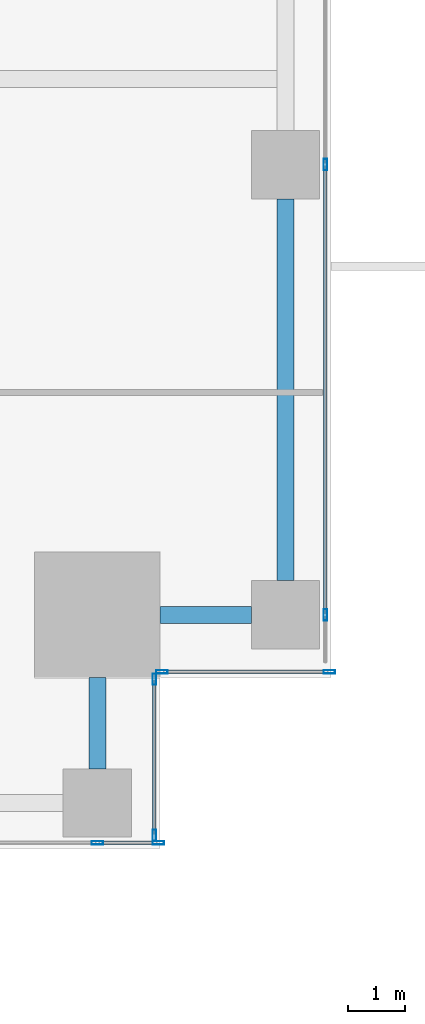
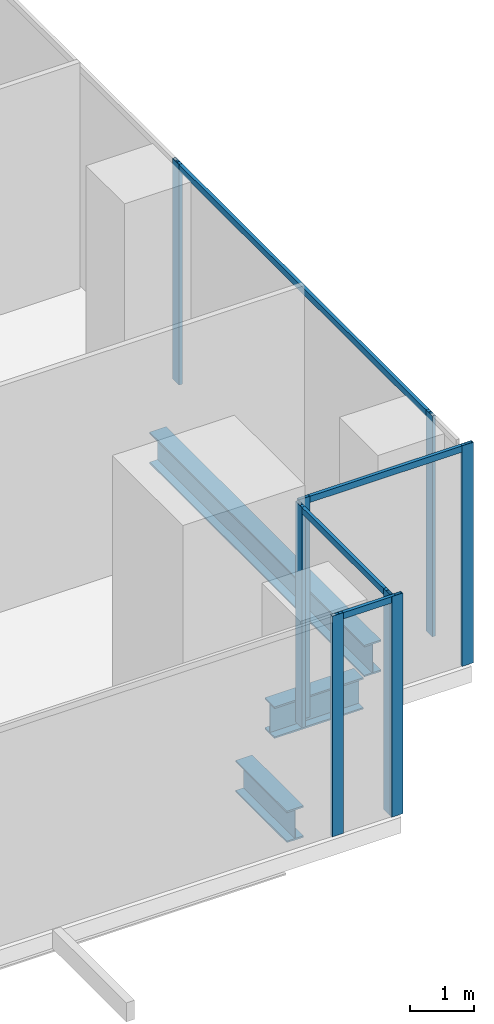
# One storey, part 9 of 32: 12 members, 3 beams, 4 elements without a shape of their own.
"""IFC4 building model written with IfcOpenShell, lengths in metres."""

from ifc_helpers import new_model, si_unit, direction, frame, origin, origin_2d, place, context, subcontext, project, spatial, hollow_rectangle, i_section, extrude, source, transform, mapped, material, material_profile, profile_set, type_object, element, aggregate, save


model = new_model("IFC4")

# Units and contexts
model_context = context("Model", 3, precision=1e-05, world=origin(), true_north=direction((0.0, 1.0)))
body_context = subcontext(model_context, "Body", "Model", "MODEL_VIEW")
ifc_project = project(units=[si_unit("LENGTHUNIT", "METRE"), si_unit("AREAUNIT", "SQUARE_METRE"), si_unit("VOLUMEUNIT", "CUBIC_METRE"), si_unit("PLANEANGLEUNIT", "RADIAN"), si_unit("MASSUNIT", "GRAM", prefix="KILO")], contexts=[model_context])

# Site, building, storey
site_placement = place(None, origin())
site = spatial("IfcSite", under=ifc_project, at=site_placement, CompositionType="ELEMENT")
building_placement = place(site_placement, origin())
building = spatial("IfcBuilding", under=site, at=building_placement, Name="Khomas Fold Tower", CompositionType="ELEMENT")
storey_placement = place(building_placement, frame((0.0, 0.0, 64.5)))
storey = spatial("IfcBuildingStorey", under=building, at=storey_placement, Name="L13", CompositionType="ELEMENT", Elevation=64.5)

# Beams
ifc_material_1 = material(Name="Steel S355", Category="steel")
ifc_material_profile_1 = material_profile(ifc_material_1, i_section(OverallWidth=0.300048828125, OverallDepth=0.60009765625, WebThickness=0.015380859375, FlangeThickness=0.030029296875, at=origin_2d()), Name="HE 600 B")
ifc_profile_set_1 = profile_set([ifc_material_profile_1], Name="Steel S355")
beam_type = type_object("IfcBeamType", Name="HE 600 B spandrel SB1", PredefinedType="SPANDREL", material=ifc_profile_set_1)
shared_shape_1 = source(origin(), body_context, "Body", "SweptSolid", [
    extrude(i_section(OverallWidth=0.300048828125, OverallDepth=0.60009765625, WebThickness=0.015380859375, FlangeThickness=0.030029296875, at=origin_2d()), origin(), (0.0, 0.0, 1.0), 6.699951171875),
])
beam_placement = place(storey_placement, frame((53.199951171875, 4.699951171875, -0.60009765625), z_axis=(0.0, 1.0, 0.0), x_axis=(-1.0, 0.0, 0.0)))
element("IfcBeam", 1, at=beam_placement, inside=storey, type_object=beam_type, Name="SB1", PredefinedType="SPANDREL", context=body_context, shape_type="MappedRepresentation", body=[
    mapped(shared_shape_1, transform((0.0, 0.0, 0.0))),
])
shared_shape_2 = source(origin(), body_context, "Body", "SweptSolid", [
    extrude(i_section(OverallWidth=0.300048828125, OverallDepth=0.60009765625, WebThickness=0.015380859375, FlangeThickness=0.030029296875, at=origin_2d()), origin(), (0.0, 0.0, 1.0), 1.60009765625),
])
for number, where, z_axis, x_axis, name in (
    (2, (49.89990234375, 1.39990234375, -0.60009765625), (0.0, 1.0, 0.0), (-1.0, 0.0, 0.0), "SB1"),
    (3, (51.0, 4.10009765625, -0.60009765625), (1.0, 0.0, 0.0), (0.0, 1.0, 0.0), "SB1"),
):
    element("IfcBeam", number, at=place(storey_placement, frame(where, z_axis=z_axis, x_axis=x_axis)), inside=storey, type_object=beam_type, Name=name, PredefinedType="SPANDREL", context=body_context, shape_type="MappedRepresentation", body=[
        mapped(shared_shape_2, transform((0.0, 0.0, 0.0))),
    ])

# Curtain wall, member
ifc_material_2 = material(Name="Aluminium framed double glazing", Category="aluminium")
curtain_wall_type = type_object("IfcCurtainWallType", Name="SK-Unitised clear-glass wall, growing floors CW1", PredefinedType="NOTDEFINED", material=ifc_material_2)
curtain_wall_1_placement = place(storey_placement, origin())
curtain_wall_1 = element("IfcCurtainWall", 4, at=curtain_wall_1_placement, inside=storey, type_object=curtain_wall_type, Name="CW1 run L13 03-0", PredefinedType="NOTDEFINED")
ifc_material_3 = material(Name="Aluminium", Category="aluminium")
ifc_material_profile_2 = material_profile(ifc_material_3, hollow_rectangle(XDim=0.06005859375, YDim=0.1201171875, WallThickness=0.00390625, at=origin_2d()), Name="SK-Unitised clear-glass wall, growing floors transom CW1-T")
ifc_profile_set_2 = profile_set([ifc_material_profile_2], Name="Aluminium")
member_type_1 = type_object("IfcMemberType", Name="SK-Unitised clear-glass wall, growing floors transom CW1-T", PredefinedType="USERDEFINED", material=ifc_profile_set_2)
shared_shape_3 = source(origin(), body_context, "Body", "SweptSolid", [
    extrude(hollow_rectangle(XDim=0.06005859375, YDim=0.1201171875, WallThickness=0.00390625, at=origin_2d()), origin(), (0.0, 0.0, 1.0), 7.840087890625),
])
member_1_placement = place(storey_placement, frame((53.89990234375, 4.1298828125, 4.139892578125), z_axis=(0.0, 1.0, 0.0), x_axis=(-1.0, 0.0, 0.0)))
member_1 = element("IfcMember", 5, at=member_1_placement, type_object=member_type_1, Name="CW1 transom 2", ObjectType="TRANSOM", PredefinedType="USERDEFINED", context=body_context, shape_type="MappedRepresentation", body=[
    mapped(shared_shape_3, transform((0.0, 0.0, 0.0))),
])

curtain_wall_2_placement = place(storey_placement, origin())
curtain_wall_2 = element("IfcCurtainWall", 6, at=curtain_wall_2_placement, inside=storey, type_object=curtain_wall_type, Name="CW1 run L13 00-0", PredefinedType="NOTDEFINED")
shared_shape_4 = source(origin(), body_context, "Body", "SweptSolid", [
    extrude(hollow_rectangle(XDim=0.06005859375, YDim=0.1201171875, WallThickness=0.00390625, at=origin_2d()), origin(), (0.0, 0.0, 1.0), 1.010009765625),
])
member_2_placement = place(storey_placement, frame((49.929931640625, 0.10009765625, 4.139892578125), z_axis=(1.0, 0.0, 0.0), x_axis=(0.0, 1.0, 0.0)))
member_2 = element("IfcMember", 7, at=member_2_placement, type_object=member_type_1, Name="CW1 transom 8", ObjectType="TRANSOM", PredefinedType="USERDEFINED", context=body_context, shape_type="MappedRepresentation", body=[
    mapped(shared_shape_4, transform((0.0, 0.0, 0.0))),
])

curtain_wall_3_placement = place(storey_placement, origin())
curtain_wall_3 = element("IfcCurtainWall", 8, at=curtain_wall_3_placement, inside=storey, type_object=curtain_wall_type, Name="CW1 corner return L13 01", PredefinedType="NOTDEFINED")
shared_shape_5 = source(origin(), body_context, "Body", "SweptSolid", [
    extrude(hollow_rectangle(XDim=0.06005859375, YDim=0.1201171875, WallThickness=0.00390625, at=origin_2d()), origin(), (0.0, 0.0, 1.0), 2.679931640625),
])
member_3_placement = place(storey_placement, frame((50.89990234375, 0.260009765625, 4.139892578125), z_axis=(0.0, 1.0, 0.0), x_axis=(-1.0, 0.0, 0.0)))
member_3 = element("IfcMember", 9, at=member_3_placement, type_object=member_type_1, Name="CW1 transom 1", ObjectType="TRANSOM", PredefinedType="USERDEFINED", context=body_context, shape_type="MappedRepresentation", body=[
    mapped(shared_shape_5, transform((0.0, 0.0, 0.0))),
])

curtain_wall_4_placement = place(storey_placement, origin())
curtain_wall_4 = element("IfcCurtainWall", 10, at=curtain_wall_4_placement, inside=storey, type_object=curtain_wall_type, Name="CW1 corner return L13 02", PredefinedType="NOTDEFINED")
shared_shape_6 = source(origin(), body_context, "Body", "SweptSolid", [
    extrude(hollow_rectangle(XDim=0.06005859375, YDim=0.1201171875, WallThickness=0.00390625, at=origin_2d()), origin(), (0.0, 0.0, 1.0), 2.8798828125),
])
member_4_placement = place(storey_placement, frame((51.06005859375, 3.10009765625, 4.139892578125), z_axis=(1.0, 0.0, 0.0), x_axis=(0.0, 1.0, 0.0)))
member_4 = element("IfcMember", 11, at=member_4_placement, type_object=member_type_1, Name="CW1 transom 1", ObjectType="TRANSOM", PredefinedType="USERDEFINED", context=body_context, shape_type="MappedRepresentation", body=[
    mapped(shared_shape_6, transform((0.0, 0.0, 0.0))),
])

# Member
ifc_material_4 = material(Name="Aluminium", Category="aluminium")
ifc_material_profile_3 = material_profile(ifc_material_4, hollow_rectangle(XDim=0.06005859375, YDim=0.199951171875, WallThickness=0.00390625, at=origin_2d()), Name="SK-Unitised clear-glass wall, growing floors mullion CW1-M")
ifc_profile_set_3 = profile_set([ifc_material_profile_3], Name="Aluminium")
member_type_2 = type_object("IfcMemberType", Name="SK-Unitised clear-glass wall, growing floors mullion CW1-M", PredefinedType="MULLION", material=ifc_profile_set_3)
shared_shape_7 = source(origin(), body_context, "Body", "SweptSolid", [
    extrude(hollow_rectangle(XDim=0.06005859375, YDim=0.199951171875, WallThickness=0.00390625, at=origin_2d()), origin(), (0.0, 0.0, 1.0), 4.199951171875),
])
member_5_placement = place(storey_placement, frame((49.89990234375, 0.10009765625, 0.0), z_axis=(0.0, 0.0, 1.0), x_axis=(0.0, 1.0, 0.0)))
member_5 = element("IfcMember", 12, at=member_5_placement, type_object=member_type_2, Name="CW1 mullion 8", PredefinedType="MULLION", context=body_context, shape_type="MappedRepresentation", body=[
    mapped(shared_shape_7, transform((0.0, 0.0, 0.0))),
])

member_6_placement = place(storey_placement, frame((50.969970703125, 0.10009765625, 0.0), z_axis=(0.0, 0.0, 1.0), x_axis=(0.0, 1.0, 0.0)))
member_6 = element("IfcMember", 13, at=member_6_placement, type_object=member_type_2, Name="CW1 mullion 9", PredefinedType="MULLION", context=body_context, shape_type="MappedRepresentation", body=[
    mapped(shared_shape_7, transform((0.0, 0.0, 0.0))),
])

aggregate(curtain_wall_2, [member_5, member_6, member_2])

member_7_placement = place(storey_placement, frame((50.89990234375, 0.22998046875, 0.0), z_axis=(0.0, 0.0, 1.0), x_axis=(-1.0, 0.0, 0.0)))
member_7 = element("IfcMember", 14, at=member_7_placement, type_object=member_type_2, Name="CW1 mullion 1", PredefinedType="MULLION", context=body_context, shape_type="MappedRepresentation", body=[
    mapped(shared_shape_7, transform((0.0, 0.0, 0.0))),
])

member_8_placement = place(storey_placement, frame((50.89990234375, 2.969970703125, 0.0), z_axis=(0.0, 0.0, 1.0), x_axis=(-1.0, 0.0, 0.0)))
member_8 = element("IfcMember", 15, at=member_8_placement, type_object=member_type_2, Name="CW1 mullion 2", PredefinedType="MULLION", context=body_context, shape_type="MappedRepresentation", body=[
    mapped(shared_shape_7, transform((0.0, 0.0, 0.0))),
])

aggregate(curtain_wall_3, [member_7, member_8, member_3])

member_9_placement = place(storey_placement, frame((51.030029296875, 3.10009765625, 0.0), z_axis=(0.0, 0.0, 1.0), x_axis=(0.0, 1.0, 0.0)))
member_9 = element("IfcMember", 16, at=member_9_placement, type_object=member_type_2, Name="CW1 mullion 1", PredefinedType="MULLION", context=body_context, shape_type="MappedRepresentation", body=[
    mapped(shared_shape_7, transform((0.0, 0.0, 0.0))),
])

member_10_placement = place(storey_placement, frame((53.969970703125, 3.10009765625, 0.0), z_axis=(0.0, 0.0, 1.0), x_axis=(0.0, 1.0, 0.0)))
member_10 = element("IfcMember", 17, at=member_10_placement, type_object=member_type_2, Name="CW1 mullion 2", PredefinedType="MULLION", context=body_context, shape_type="MappedRepresentation", body=[
    mapped(shared_shape_7, transform((0.0, 0.0, 0.0))),
])

aggregate(curtain_wall_4, [member_9, member_10, member_4])

member_11_placement = place(storey_placement, frame((53.89990234375, 4.10009765625, 0.0), z_axis=(0.0, 0.0, 1.0), x_axis=(-1.0, 0.0, 0.0)))
member_11 = element("IfcMember", 18, at=member_11_placement, type_object=member_type_2, Name="CW1 mullion 2", PredefinedType="MULLION", context=body_context, shape_type="MappedRepresentation", body=[
    mapped(shared_shape_7, transform((0.0, 0.0, 0.0))),
])

member_12_placement = place(storey_placement, frame((53.89990234375, 12.0, 0.0), z_axis=(0.0, 0.0, 1.0), x_axis=(-1.0, 0.0, 0.0)))
member_12 = element("IfcMember", 19, at=member_12_placement, type_object=member_type_2, Name="CW1 mullion 3", PredefinedType="MULLION", context=body_context, shape_type="MappedRepresentation", body=[
    mapped(shared_shape_7, transform((0.0, 0.0, 0.0))),
])

aggregate(curtain_wall_1, [member_11, member_12, member_1])

save(model, "model.ifc")
